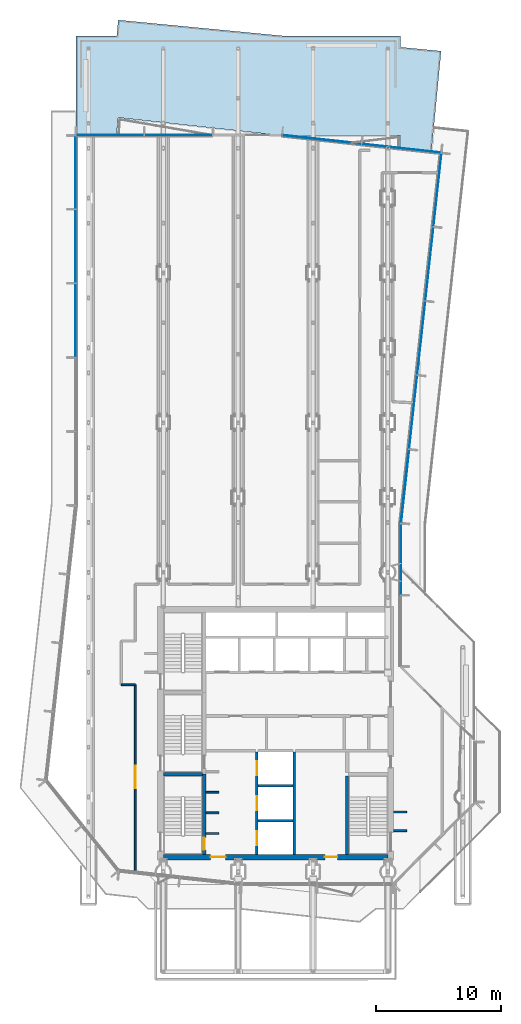
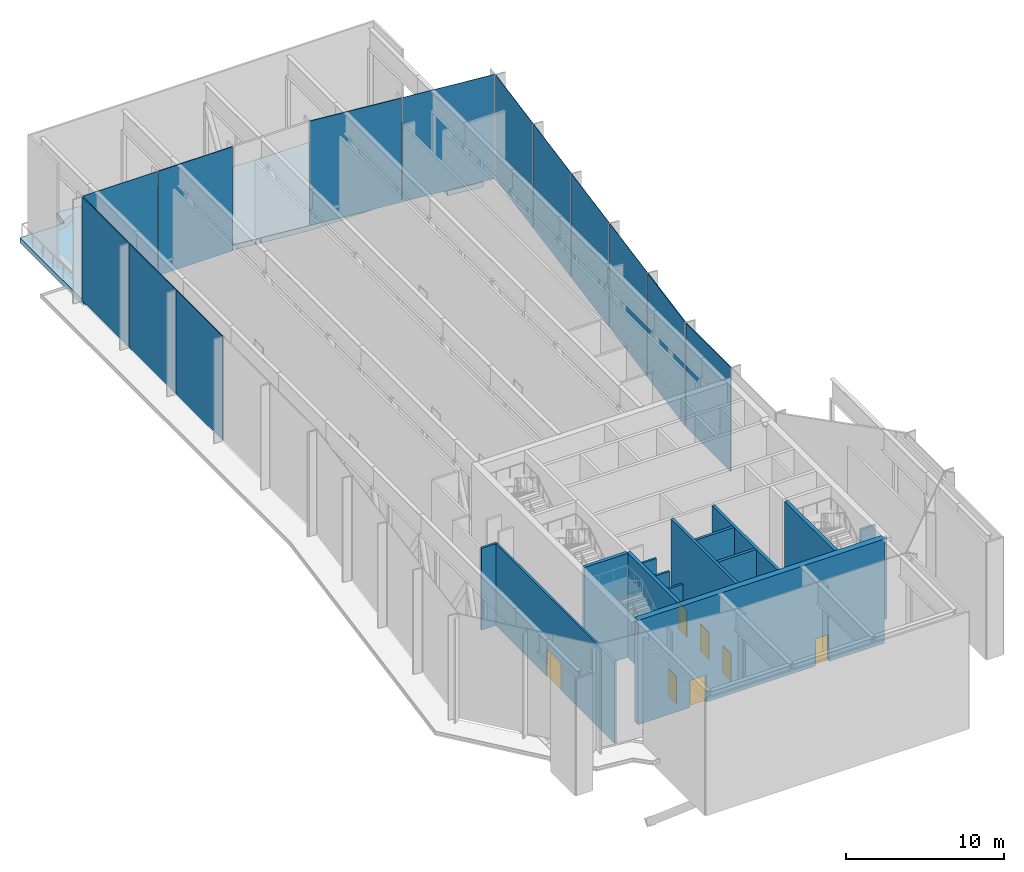
# One storey, part 11 of 21: 15 walls, 13 plates, 7 doors, 1 slab, 7 openings, 5 elements without a shape of their own.
"""IFC4 building model written with IfcOpenShell, lengths in metres."""

from ifc_helpers import new_model, si_unit, direction, frame, frame_2d, origin, origin_2d, place, context, subcontext, project, spatial, polyline, rectangle, outline, extrude, material, layer, layer_set, type_object, element, fill, aggregate, save


model = new_model("IFC4")

# Units and contexts
model_context = context("Model", 3, precision=1e-05, world=origin(), true_north=direction((0.0, 1.0)))
body_context = subcontext(model_context, "Body", "Model", "MODEL_VIEW")
ifc_project = project(units=[si_unit("LENGTHUNIT", "METRE"), si_unit("AREAUNIT", "SQUARE_METRE"), si_unit("VOLUMEUNIT", "CUBIC_METRE"), si_unit("PLANEANGLEUNIT", "RADIAN"), si_unit("MASSUNIT", "GRAM", prefix="KILO")], contexts=[model_context])

# Site, building, storey
site_placement = place(None, origin())
site = spatial("IfcSite", under=ifc_project, at=site_placement, CompositionType="ELEMENT")
building_placement = place(site_placement, origin())
building = spatial("IfcBuilding", under=site, at=building_placement, Name="Welwitschia Terrace Campus", CompositionType="ELEMENT")
storey_placement = place(building_placement, frame((0.0, 0.0, 255.800048828125)))
storey = spatial("IfcBuildingStorey", under=building, at=storey_placement, Name="L57", CompositionType="ELEMENT", Elevation=255.800048828125)

# Curtain wall, plates
ifc_material_1 = material(Name="Bronze anodised aluminium", Category="aluminium")
ifc_layer_1 = layer(ifc_material_1, 0.159912109375)
ifc_layer_set_1 = layer_set([ifc_layer_1], Name="Bronze anodised aluminium")
curtain_wall_type = type_object("IfcCurtainWallType", Name="Curtain wall CW3 commons 6000", PredefinedType="NOTDEFINED", material=ifc_layer_set_1)
curtain_wall_1_placement = place(storey_placement, origin())
curtain_wall_1 = element("IfcCurtainWall", 1, at=curtain_wall_1_placement, inside=storey, type_object=curtain_wall_type, Name="CW L57.4.0", PredefinedType="NOTDEFINED")
ifc_material_2 = material(Name="Tinted bronze-grey glass", Category="glass")
ifc_layer_2 = layer(ifc_material_2, 0.031982421875)
ifc_layer_set_2 = layer_set([ifc_layer_2], Name="Tinted bronze-grey glass")
plate_type_1 = type_object("IfcPlateType", Name="Glass panel 32 tinted", PredefinedType="CURTAIN_PANEL", material=ifc_layer_set_2)
plate_1_placement = place(storey_placement, frame((26.026611328125, 40.838623046875, 0.0), z_axis=(0.0, 0.0, 1.0), x_axis=(0.108866874852, 0.994056338222, 0.0)))
plate_1 = element("IfcPlate", 2, at=plate_1_placement, type_object=plate_type_1, Name="Panel L57.4.0.1", PredefinedType="CURTAIN_PANEL", context=body_context, shape_type="SweptSolid", body=[
    extrude(rectangle(XDim=5.920654296875, YDim=0.031982421875, at=origin_2d()), origin(), (0.0, 0.0, 1.0), 8.050048828125),
])
plate_2_placement = place(storey_placement, frame((26.677734375, 46.78369140625, 0.0), z_axis=(0.0, 0.0, 1.0), x_axis=(0.108866874852, 0.994056338222, 0.0)))
plate_2 = element("IfcPlate", 3, at=plate_2_placement, type_object=plate_type_1, Name="Panel L57.4.0.2", PredefinedType="CURTAIN_PANEL", context=body_context, shape_type="SweptSolid", body=[
    extrude(rectangle(XDim=5.920654296875, YDim=0.031982421875, at=origin_2d()), origin(), (0.0, 0.0, 1.0), 8.050048828125),
])
plate_3_placement = place(storey_placement, frame((27.328857421875, 52.728759765625, 0.0), z_axis=(0.0, 0.0, 1.0), x_axis=(0.108866874852, 0.994056338222, 0.0)))
plate_3 = element("IfcPlate", 4, at=plate_3_placement, type_object=plate_type_1, Name="Panel L57.4.0.3", PredefinedType="CURTAIN_PANEL", context=body_context, shape_type="SweptSolid", body=[
    extrude(rectangle(XDim=5.920654296875, YDim=0.031982421875, at=origin_2d()), origin(), (0.0, 0.0, 1.0), 8.050048828125),
])
plate_4_placement = place(storey_placement, frame((27.978271484375, 58.65869140625, 0.0), z_axis=(0.0, 0.0, 1.0), x_axis=(0.108866874852, 0.994056338222, 0.0)))
plate_4 = element("IfcPlate", 5, at=plate_4_placement, type_object=plate_type_1, Name="Panel L57.4.0.4", PredefinedType="CURTAIN_PANEL", context=body_context, shape_type="SweptSolid", body=[
    extrude(rectangle(XDim=5.890625, YDim=0.031982421875, at=origin_2d()), origin(), (0.0, 0.0, 1.0), 8.050048828125),
])

# Curtain wall, plate
curtain_wall_2_placement = place(storey_placement, origin())
curtain_wall_2 = element("IfcCurtainWall", 6, at=curtain_wall_2_placement, inside=storey, type_object=curtain_wall_type, Name="CW L57.5.0", PredefinedType="NOTDEFINED")
plate_5_placement = place(storey_placement, frame((25.0859375, 61.998779296875, 0.0), z_axis=(0.0, 0.0, 1.0), x_axis=(-0.994056338222, 0.108866874852, 0.0)))
plate_5 = element("IfcPlate", 7, at=plate_5_placement, type_object=plate_type_1, Name="Panel L57.5.0.0", PredefinedType="CURTAIN_PANEL", context=body_context, shape_type="SweptSolid", body=[
    extrude(rectangle(XDim=6.357421875, YDim=0.031982421875, at=origin_2d()), origin(), (0.0, 0.0, 1.0), 8.050048828125),
])

curtain_wall_3_placement = place(storey_placement, origin())
curtain_wall_3 = element("IfcCurtainWall", 8, at=curtain_wall_3_placement, inside=storey, type_object=curtain_wall_type, Name="CW L57.6.1", PredefinedType="NOTDEFINED")
plate_6_placement = place(storey_placement, frame((1.72119140625, 63.050048828125, 0.0), z_axis=(0.0, 0.0, 1.0), x_axis=(-1.0, 0.0, 0.0)))
plate_6 = element("IfcPlate", 9, at=plate_6_placement, type_object=plate_type_1, Name="Panel L57.6.1.1", PredefinedType="CURTAIN_PANEL", context=body_context, shape_type="SweptSolid", body=[
    extrude(rectangle(XDim=5.42236328125, YDim=0.031982421875, at=origin_2d()), origin(), (0.0, 0.0, 1.0), 8.050048828125),
])

curtain_wall_4_placement = place(storey_placement, origin())
curtain_wall_4 = element("IfcCurtainWall", 10, at=curtain_wall_4_placement, inside=storey, type_object=curtain_wall_type, Name="CW L57.3.0", PredefinedType="NOTDEFINED")
ifc_material_3 = material(Name="Bronze anodised insulated metal panel")
ifc_layer_3 = layer(ifc_material_3, 0.06005859375)
ifc_layer_set_3 = layer_set([ifc_layer_3], Name="Bronze anodised insulated metal panel")
plate_type_2 = type_object("IfcPlateType", Name="Insulated metal panel 60", PredefinedType="CURTAIN_PANEL", material=ifc_layer_set_3)
plate_7_placement = place(storey_placement, frame((25.050048828125, 29.03466796875, 0.0), z_axis=(0.0, 0.0, 1.0), x_axis=(0.0, 1.0, 0.0)))
plate_7 = element("IfcPlate", 11, at=plate_7_placement, type_object=plate_type_2, Name="Panel L57.3.0.1", PredefinedType="CURTAIN_PANEL", context=body_context, shape_type="SweptSolid", body=[
    extrude(rectangle(XDim=5.653076171875, YDim=0.06005859375, at=origin_2d()), origin(), (0.0, 0.0, 1.0), 8.050048828125),
])
aggregate(curtain_wall_4, [plate_7])

# Plate
plate_8_placement = place(storey_placement, frame((25.377197265625, 34.908447265625, 0.0), z_axis=(0.0, 0.0, 1.0), x_axis=(0.108866874852, 0.994056338222, 0.0)))
plate_8 = element("IfcPlate", 12, at=plate_8_placement, type_object=plate_type_2, Name="Panel L57.4.0.0", PredefinedType="CURTAIN_PANEL", context=body_context, shape_type="SweptSolid", body=[
    extrude(rectangle(XDim=5.890625, YDim=0.06005859375, at=origin_2d()), origin(), (0.0, 0.0, 1.0), 8.050048828125),
])

aggregate(curtain_wall_1, [plate_8, plate_1, plate_2, plate_3, plate_4])

plate_9_placement = place(storey_placement, frame((18.70654296875, 62.697509765625, 0.0), z_axis=(0.0, 0.0, 1.0), x_axis=(-0.994056338222, 0.108866874852, 0.0)))
plate_9 = element("IfcPlate", 13, at=plate_9_placement, type_object=plate_type_2, Name="Panel L57.5.0.1", PredefinedType="CURTAIN_PANEL", context=body_context, shape_type="SweptSolid", body=[
    extrude(rectangle(XDim=6.357421875, YDim=0.06005859375, at=origin_2d()), origin(), (0.0, 0.0, 1.0), 8.050048828125),
])

aggregate(curtain_wall_2, [plate_5, plate_9])

plate_10_placement = place(storey_placement, frame((7.20361328125, 63.050048828125, 0.0), z_axis=(0.0, 0.0, 1.0), x_axis=(-1.0, 0.0, 0.0)))
plate_10 = element("IfcPlate", 14, at=plate_10_placement, type_object=plate_type_2, Name="Panel L57.6.1.0", PredefinedType="CURTAIN_PANEL", context=body_context, shape_type="SweptSolid", body=[
    extrude(rectangle(XDim=5.42236328125, YDim=0.06005859375, at=origin_2d()), origin(), (0.0, 0.0, 1.0), 8.050048828125),
])

aggregate(curtain_wall_3, [plate_10, plate_6])

# Curtain wall, plates
curtain_wall_5_placement = place(storey_placement, origin())
curtain_wall_5 = element("IfcCurtainWall", 15, at=curtain_wall_5_placement, inside=storey, type_object=curtain_wall_type, Name="CW L57.7.0", PredefinedType="NOTDEFINED")
plate_11_placement = place(storey_placement, frame((-1.050048828125, 60.064697265625, 0.0), z_axis=(0.0, 0.0, 1.0), x_axis=(0.0, -1.0, 0.0)))
plate_11 = element("IfcPlate", 16, at=plate_11_placement, type_object=plate_type_2, Name="Panel L57.7.0.0", PredefinedType="CURTAIN_PANEL", context=body_context, shape_type="SweptSolid", body=[
    extrude(rectangle(XDim=5.850830078125, YDim=0.06005859375, at=origin_2d()), origin(), (0.0, 0.0, 1.0), 8.050048828125),
])
plate_12_placement = place(storey_placement, frame((-1.050048828125, 54.138916015625, 0.0), z_axis=(0.0, 0.0, 1.0), x_axis=(0.0, -1.0, 0.0)))
plate_12 = element("IfcPlate", 17, at=plate_12_placement, type_object=plate_type_2, Name="Panel L57.7.0.1", PredefinedType="CURTAIN_PANEL", context=body_context, shape_type="SweptSolid", body=[
    extrude(rectangle(XDim=5.880859375, YDim=0.06005859375, at=origin_2d()), origin(), (0.0, 0.0, 1.0), 8.050048828125),
])
plate_13_placement = place(storey_placement, frame((-1.050048828125, 48.197998046875, 0.0), z_axis=(0.0, 0.0, 1.0), x_axis=(0.0, -1.0, 0.0)))
plate_13 = element("IfcPlate", 18, at=plate_13_placement, type_object=plate_type_2, Name="Panel L57.7.0.2", PredefinedType="CURTAIN_PANEL", context=body_context, shape_type="SweptSolid", body=[
    extrude(rectangle(XDim=5.880859375, YDim=0.06005859375, at=origin_2d()), origin(), (0.0, 0.0, 1.0), 8.050048828125),
])
aggregate(curtain_wall_5, [plate_11, plate_12, plate_13])

# Slab
ifc_material_4 = material(Name="Concrete C40/50", Category="concrete")
ifc_layer_4 = layer(ifc_material_4, 0.39990234375)
ifc_layer_set_4 = layer_set([ifc_layer_4], Name="Concrete C40/50")
slab_type = type_object("IfcSlabType", Name="Terrace slab 400", PredefinedType="FLOOR", material=ifc_layer_set_4)
slab_placement = place(storey_placement, frame((0.0, 0.0, -0.400146484375)))
element("IfcSlab", 19, at=slab_placement, inside=storey, type_object=slab_type, Name="Terrace slab", PredefinedType="FLOOR", context=body_context, shape_type="SweptSolid", body=[
    extrude(outline(polyline([(-1.0, 63.0), (-1.0, 71.0), (2.263427734375, 71.0), (2.38623046875, 72.275634765625), (15.635498046875, 71.0), (25.0, 71.0), (25.0, 70.098388671875), (28.2666015625, 69.78369140625), (27.48828125, 61.700439453125), (25.014892578125, 61.971435546875), (25.014892578125, 63.0), (25.014892578125, 63.00146484375), (25.0146484375, 63.0029296875), (25.014404296875, 63.00439453125), (25.013916015625, 63.005859375), (25.01318359375, 63.007080078125), (25.012451171875, 63.00830078125), (25.011474609375, 63.009521484375), (25.010498046875, 63.010498046875), (25.009521484375, 63.011474609375), (25.00830078125, 63.012451171875), (25.007080078125, 63.01318359375), (25.005859375, 63.013916015625), (25.00439453125, 63.014404296875), (25.0029296875, 63.0146484375), (25.00146484375, 63.014892578125), (25.0, 63.014892578125), (24.18505859375, 63.014892578125), (24.18359375, 63.014892578125), (24.18212890625, 63.0146484375), (24.1806640625, 63.014404296875), (24.17919921875, 63.013916015625), (24.177978515625, 63.01318359375), (24.1767578125, 63.012451171875), (24.175537109375, 63.011474609375), (24.17431640625, 63.010498046875), (24.17333984375, 63.009521484375), (24.172607421875, 63.00830078125), (24.171875, 63.007080078125), (24.171142578125, 63.005859375), (24.170654296875, 63.00439453125), (24.17041015625, 63.0029296875), (24.170166015625, 63.00146484375), (24.169921875, 63.0), (23.830078125, 63.0), (23.829833984375, 63.00146484375), (23.82958984375, 63.0029296875), (23.829345703125, 63.00439453125), (23.828857421875, 63.005859375), (23.828125, 63.007080078125), (23.827392578125, 63.00830078125), (23.82666015625, 63.009521484375), (23.82568359375, 63.010498046875), (23.824462890625, 63.011474609375), (23.8232421875, 63.012451171875), (23.822021484375, 63.01318359375), (23.82080078125, 63.013916015625), (23.8193359375, 63.014404296875), (23.81787109375, 63.0146484375), (23.81640625, 63.014892578125), (23.81494140625, 63.014892578125), (18.18505859375, 63.014892578125), (18.18359375, 63.014892578125), (18.18212890625, 63.0146484375), (18.1806640625, 63.014404296875), (18.17919921875, 63.013916015625), (18.177978515625, 63.01318359375), (18.1767578125, 63.012451171875), (18.175537109375, 63.011474609375), (18.17431640625, 63.010498046875), (18.17333984375, 63.009521484375), (18.172607421875, 63.00830078125), (18.171875, 63.007080078125), (18.171142578125, 63.005859375), (18.170654296875, 63.00439453125), (18.17041015625, 63.0029296875), (18.170166015625, 63.00146484375), (18.169921875, 63.0), (17.830078125, 63.0), (17.829833984375, 63.00146484375), (17.82958984375, 63.0029296875), (17.829345703125, 63.00439453125), (17.828857421875, 63.005859375), (17.828125, 63.007080078125), (17.827392578125, 63.00830078125), (17.82666015625, 63.009521484375), (17.82568359375, 63.010498046875), (17.824462890625, 63.011474609375), (17.8232421875, 63.012451171875), (17.822021484375, 63.01318359375), (17.82080078125, 63.013916015625), (17.8193359375, 63.014404296875), (17.81787109375, 63.0146484375), (17.81640625, 63.014892578125), (17.81494140625, 63.014892578125), (15.485107421875, 63.014892578125), (12.1865234375, 63.376220703125), (12.18505859375, 63.376220703125), (12.18359375, 63.376220703125), (12.18212890625, 63.3759765625), (12.1806640625, 63.375732421875), (12.179443359375, 63.375244140625), (12.177978515625, 63.37451171875), (12.1767578125, 63.373779296875), (12.175537109375, 63.373046875), (12.174560546875, 63.3720703125), (12.17333984375, 63.370849609375), (12.172607421875, 63.36962890625), (12.171875, 63.368408203125), (12.171142578125, 63.3671875), (12.170654296875, 63.36572265625), (12.17041015625, 63.3642578125), (12.170166015625, 63.363037109375), (11.830078125, 63.400146484375), (11.830078125, 63.40185546875), (11.829833984375, 63.4033203125), (11.829833984375, 63.40478515625), (11.829345703125, 63.40625), (11.828857421875, 63.407470703125), (11.828369140625, 63.408935546875), (11.827392578125, 63.41015625), (11.82666015625, 63.411376953125), (11.82568359375, 63.412353515625), (11.82470703125, 63.413330078125), (11.823486328125, 63.414306640625), (11.822265625, 63.4150390625), (11.82080078125, 63.415771484375), (11.819580078125, 63.416259765625), (11.818115234375, 63.41650390625), (11.816650390625, 63.416748046875), (6.1865234375, 64.033447265625), (6.18505859375, 64.033447265625), (6.18359375, 64.033447265625), (6.18212890625, 64.033203125), (6.1806640625, 64.032958984375), (6.179443359375, 64.032470703125), (6.177978515625, 64.03173828125), (6.1767578125, 64.031005859375), (6.175537109375, 64.030029296875), (6.174560546875, 64.029052734375), (6.17333984375, 64.028076171875), (6.172607421875, 64.02685546875), (6.171875, 64.025634765625), (6.171142578125, 64.024169921875), (6.170654296875, 64.02294921875), (6.17041015625, 64.021484375), (6.170166015625, 64.02001953125), (5.830078125, 64.057373046875), (5.830078125, 64.05908203125), (5.829833984375, 64.060546875), (5.829833984375, 64.061767578125), (5.829345703125, 64.063232421875), (5.828857421875, 64.064697265625), (5.828369140625, 64.06591796875), (5.827392578125, 64.067138671875), (5.82666015625, 64.068359375), (5.82568359375, 64.069580078125), (5.82470703125, 64.070556640625), (5.823486328125, 64.0712890625), (5.822265625, 64.072021484375), (5.82080078125, 64.07275390625), (5.819580078125, 64.0732421875), (5.818115234375, 64.07373046875), (5.816650390625, 64.073974609375), (2.406494140625, 64.447265625), (2.405029296875, 64.447509765625), (2.403564453125, 64.447509765625), (2.402099609375, 64.447265625), (2.400634765625, 64.44677734375), (2.399169921875, 64.4462890625), (2.39794921875, 64.44580078125), (2.396728515625, 64.445068359375), (2.3955078125, 64.444091796875), (2.394287109375, 64.443115234375), (2.393310546875, 64.442138671875), (2.392333984375, 64.44091796875), (2.3916015625, 64.439697265625), (2.39111328125, 64.438232421875), (2.390380859375, 64.43701171875), (2.39013671875, 64.435546875), (2.389892578125, 64.43408203125), (2.234375, 63.014892578125), (0.18505859375, 63.014892578125), (0.18359375, 63.014892578125), (0.18212890625, 63.0146484375), (0.1806640625, 63.014404296875), (0.17919921875, 63.013916015625), (0.177978515625, 63.01318359375), (0.1767578125, 63.012451171875), (0.175537109375, 63.011474609375), (0.17431640625, 63.010498046875), (0.17333984375, 63.009521484375), (0.172607421875, 63.00830078125), (0.171875, 63.007080078125), (0.171142578125, 63.005859375), (0.170654296875, 63.00439453125), (0.17041015625, 63.0029296875), (0.170166015625, 63.00146484375), (0.169921875, 63.0), (-1.0, 63.0)])), origin(), (0.0, 0.0, 1.0), 0.400146484375),
])

# Walls
ifc_material_5 = material(Name="Concrete C50/60", Category="concrete")
ifc_layer_5 = layer(ifc_material_5, 0.14990234375)
ifc_layer_set_5 = layer_set([ifc_layer_5], Name="Concrete C50/60")
wall_type_1 = type_object("IfcWallType", Name="Core wall 150 Concrete C50/60", PredefinedType="SHEAR", material=ifc_layer_set_5)
for number, where, z_axis, x_axis, name in (
    (20, (9.39990234375, 7.074951171875, 0.0), (0.0, 0.0, 1.0), (1.0, 0.0, 0.0), "Core wall"),
    (21, (9.39990234375, 8.72509765625, 0.0), (0.0, 0.0, 1.0), (1.0, 0.0, 0.0), "Core wall"),
    (22, (9.39990234375, 10.375, 0.0), (0.0, 0.0, 1.0), (1.0, 0.0, 0.0), "Core wall"),
):
    element("IfcWall", number, at=place(storey_placement, frame(where, z_axis=z_axis, x_axis=x_axis)), inside=storey, type_object=wall_type_1, Name=name, PredefinedType="SHEAR", context=body_context, shape_type="SweptSolid", body=[
        extrude(rectangle(XDim=1.050048828125, YDim=0.14990234375, at=frame_2d((0.52490234375, 0.0))), origin(), (0.0, 0.0, 1.0), 8.050048828125),
    ])
ifc_material_6 = material(Name="Concrete C50/60", Category="concrete")
ifc_layer_6 = layer(ifc_material_6, 0.199951171875)
ifc_layer_set_6 = layer_set([ifc_layer_6], Name="Concrete C50/60")
wall_type_2 = type_object("IfcWallType", Name="Core wall 200 Concrete C50/60", PredefinedType="SHEAR", material=ifc_layer_set_6)
for number, where, z_axis, x_axis, name in (
    (23, (13.60009765625, 8.10009765625, 0.0), (0.0, 0.0, 1.0), (1.0, 0.0, 0.0), "Core wall"),
    (24, (13.60009765625, 10.89990234375, 0.0), (0.0, 0.0, 1.0), (1.0, 0.0, 0.0), "Core wall"),
):
    element("IfcWall", number, at=place(storey_placement, frame(where, z_axis=z_axis, x_axis=x_axis)), inside=storey, type_object=wall_type_2, Name=name, PredefinedType="SHEAR", context=body_context, shape_type="SweptSolid", body=[
        extrude(rectangle(XDim=2.7998046875, YDim=0.199951171875, at=frame_2d((1.39990234375, 0.0))), origin(), (0.0, 0.0, 1.0), 8.050048828125),
    ])

# Wall, openings, doors
wall_1_placement = place(storey_placement, frame((13.5, 5.39990234375, 0.0), z_axis=(0.0, 0.0, 1.0), x_axis=(0.0, 1.0, 0.0)))
wall_1 = element("IfcWall", 25, at=wall_1_placement, inside=storey, type_object=wall_type_2, Name="Core wall", PredefinedType="SHEAR", context=body_context, shape_type="SweptSolid", body=[
    extrude(rectangle(XDim=8.2001953125, YDim=0.199951171875, at=frame_2d((4.10009765625, 0.0))), origin(), (0.0, 0.0, 1.0), 8.050048828125),
])
opening_1_placement = place(wall_1_placement, frame((0.75, 0.0, 0.0)))
opening_1 = element("IfcOpeningElement", 26, at=opening_1_placement, cuts=wall_1, Name="Opening LD", PredefinedType="OPENING", context=body_context, shape_type="SweptSolid", body=[
    extrude(rectangle(XDim=1.10009765625, YDim=2.10009765625, at=frame_2d((0.550048828125, 1.050048828125))), frame((0.0, 0.10986328125, 0.0), z_axis=(0.0, -1.0, 0.0), x_axis=(1.0, 0.0, 0.0)), (0.0, 0.0, 1.0), 0.219970703125),
])
opening_2_placement = place(wall_1_placement, frame((3.550048828125, 0.0, 0.0)))
opening_2 = element("IfcOpeningElement", 27, at=opening_2_placement, cuts=wall_1, Name="Opening LD", PredefinedType="OPENING", context=body_context, shape_type="SweptSolid", body=[
    extrude(rectangle(XDim=1.10009765625, YDim=2.10009765625, at=frame_2d((0.550048828125, 1.050048828125))), frame((0.0, 0.10986328125, 0.0), z_axis=(0.0, -1.0, 0.0), x_axis=(1.0, 0.0, 0.0)), (0.0, 0.0, 1.0), 0.219970703125),
])
opening_3_placement = place(wall_1_placement, frame((6.35009765625, 0.0, 0.0)))
opening_3 = element("IfcOpeningElement", 28, at=opening_3_placement, cuts=wall_1, Name="Opening LD", PredefinedType="OPENING", context=body_context, shape_type="SweptSolid", body=[
    extrude(rectangle(XDim=1.10009765625, YDim=2.10009765625, at=frame_2d((0.550048828125, 1.050048828125))), frame((0.0, 0.10986328125, 0.0), z_axis=(0.0, -1.0, 0.0), x_axis=(1.0, 0.0, 0.0)), (0.0, 0.0, 1.0), 0.219970703125),
])
ifc_material_7 = material(Name="Stainless steel 304", Category="steel")
door_type_1 = type_object("IfcDoorType", Name="Lift landing door", OperationType="DOUBLE_DOOR_SLIDING", PredefinedType="DOOR", material=ifc_material_7)
door_1_placement = place(opening_1_placement, origin())
door_1 = element("IfcDoor", 29, at=door_1_placement, inside=storey, type_object=door_type_1, Name="Landing door FF1", OperationType="DOUBLE_DOOR_SLIDING", OverallHeight=2.10009765625, OverallWidth=1.10009765625, PredefinedType="DOOR", context=body_context, shape_type="SweptSolid", body=[
    extrude(rectangle(XDim=1.10009765625, YDim=2.10009765625, at=frame_2d((0.550048828125, 1.050048828125))), frame((0.0, 0.02490234375, 0.0), z_axis=(0.0, -1.0, 0.0), x_axis=(1.0, 0.0, 0.0)), (0.0, 0.0, 1.0), 0.050048828125),
])
fill(opening_1, door_1)
door_2_placement = place(opening_2_placement, origin())
door_2 = element("IfcDoor", 30, at=door_2_placement, inside=storey, type_object=door_type_1, Name="Landing door FF2", OperationType="DOUBLE_DOOR_SLIDING", OverallHeight=2.10009765625, OverallWidth=1.10009765625, PredefinedType="DOOR", context=body_context, shape_type="SweptSolid", body=[
    extrude(rectangle(XDim=1.10009765625, YDim=2.10009765625, at=frame_2d((0.550048828125, 1.050048828125))), frame((0.0, 0.02490234375, 0.0), z_axis=(0.0, -1.0, 0.0), x_axis=(1.0, 0.0, 0.0)), (0.0, 0.0, 1.0), 0.050048828125),
])
fill(opening_2, door_2)
door_3_placement = place(opening_3_placement, origin())
door_3 = element("IfcDoor", 31, at=door_3_placement, inside=storey, type_object=door_type_1, Name="Landing door SV1", OperationType="DOUBLE_DOOR_SLIDING", OverallHeight=2.10009765625, OverallWidth=1.10009765625, PredefinedType="DOOR", context=body_context, shape_type="SweptSolid", body=[
    extrude(rectangle(XDim=1.10009765625, YDim=2.10009765625, at=frame_2d((0.550048828125, 1.050048828125))), frame((0.0, 0.02490234375, 0.0), z_axis=(0.0, -1.0, 0.0), x_axis=(1.0, 0.0, 0.0)), (0.0, 0.0, 1.0), 0.050048828125),
])
fill(opening_3, door_3)

# Walls
wall_2_placement = place(storey_placement, frame((16.5, 5.39990234375, 0.0), z_axis=(0.0, 0.0, 1.0), x_axis=(0.0, 1.0, 0.0)))
element("IfcWall", 32, at=wall_2_placement, inside=storey, type_object=wall_type_2, Name="Core wall", PredefinedType="SHEAR", context=body_context, shape_type="SweptSolid", body=[
    extrude(rectangle(XDim=8.2001953125, YDim=0.199951171875, at=frame_2d((4.10009765625, 0.0))), origin(), (0.0, 0.0, 1.0), 8.050048828125),
])
ifc_material_8 = material(Name="Concrete C50/60", Category="concrete")
ifc_layer_7 = layer(ifc_material_8, 0.25)
ifc_layer_set_7 = layer_set([ifc_layer_7], Name="Concrete C50/60")
wall_type_3 = type_object("IfcWallType", Name="Core wall 250 Concrete C50/60", PredefinedType="SHEAR", material=ifc_layer_set_7)
wall_3_placement = place(storey_placement, frame((6.0, 11.824951171875, 0.0), z_axis=(0.0, 0.0, 1.0), x_axis=(1.0, 0.0, 0.0)))
element("IfcWall", 33, at=wall_3_placement, inside=storey, type_object=wall_type_3, Name="Core wall", PredefinedType="SHEAR", context=body_context, shape_type="SweptSolid", body=[
    extrude(rectangle(XDim=3.14990234375, YDim=0.25, at=frame_2d((1.574951171875, 0.0))), origin(), (0.0, 0.0, 1.0), 8.050048828125),
])

# Wall, opening, door
wall_4_placement = place(storey_placement, frame((9.27490234375, 11.824951171875, 0.0), z_axis=(0.0, 0.0, 1.0), x_axis=(0.0, -1.0, 0.0)))
wall_4 = element("IfcWall", 34, at=wall_4_placement, inside=storey, type_object=wall_type_3, Name="Core wall", PredefinedType="SHEAR", context=body_context, shape_type="SweptSolid", body=[
    extrude(rectangle(XDim=6.425048828125, YDim=0.25, at=frame_2d((3.21240234375, 0.0))), origin(), (0.0, 0.0, 1.0), 8.050048828125),
])
opening_4_placement = place(wall_4_placement, frame((5.074951171875, 0.0, 0.0)))
opening_4 = element("IfcOpeningElement", 35, at=opening_4_placement, cuts=wall_4, Name="Opening DS10", PredefinedType="OPENING", context=body_context, shape_type="SweptSolid", body=[
    extrude(rectangle(XDim=1.0, YDim=2.10009765625, at=frame_2d((0.5, 1.050048828125))), frame((0.0, 0.135009765625, 0.0), z_axis=(0.0, -1.0, 0.0), x_axis=(1.0, 0.0, 0.0)), (0.0, 0.0, 1.0), 0.27001953125),
])
ifc_material_9 = material(Name="Steel S275", Category="steel")
door_type_2 = type_object("IfcDoorType", Name="Core door DS10", OperationType="SINGLE_SWING_LEFT", PredefinedType="DOOR", material=ifc_material_9)
door_4_placement = place(opening_4_placement, origin())
door_4 = element("IfcDoor", 36, at=door_4_placement, inside=storey, type_object=door_type_2, Name="Door S1-FL", OperationType="SINGLE_SWING_RIGHT", OverallHeight=2.10009765625, OverallWidth=1.0, PredefinedType="DOOR", context=body_context, shape_type="SweptSolid", body=[
    extrude(rectangle(XDim=1.0, YDim=2.10009765625, at=frame_2d((0.5, 1.050048828125))), frame((0.0, 0.02490234375, 0.0), z_axis=(0.0, -1.0, 0.0), x_axis=(1.0, 0.0, 0.0)), (0.0, 0.0, 1.0), 0.050048828125),
])
fill(opening_4, door_4)

# Wall
wall_5_placement = place(storey_placement, frame((20.72509765625, 5.39990234375, 0.0), z_axis=(0.0, 0.0, 1.0), x_axis=(0.0, 1.0, 0.0)))
element("IfcWall", 37, at=wall_5_placement, inside=storey, type_object=wall_type_3, Name="Core wall", PredefinedType="SHEAR", context=body_context, shape_type="SweptSolid", body=[
    extrude(rectangle(XDim=6.300048828125, YDim=0.25, at=frame_2d((3.14990234375, 0.0))), origin(), (0.0, 0.0, 1.0), 8.050048828125),
])

# Wall, openings, doors
ifc_material_10 = material(Name="Concrete C60/75", Category="concrete")
ifc_layer_8 = layer(ifc_material_10, 0.449951171875)
ifc_layer_set_8 = layer_set([ifc_layer_8], Name="Concrete C60/75")
wall_type_4 = type_object("IfcWallType", Name="Core wall 450 Concrete C60/75", PredefinedType="SHEAR", material=ifc_layer_set_8)
wall_6_placement = place(storey_placement, frame((24.0, 5.175048828125, 0.0), z_axis=(0.0, 0.0, 1.0), x_axis=(-1.0, 0.0, 0.0)))
wall_6 = element("IfcWall", 38, at=wall_6_placement, inside=storey, type_object=wall_type_4, Name="Core outer wall", PredefinedType="SHEAR", context=body_context, shape_type="SweptSolid", body=[
    extrude(rectangle(XDim=18.0, YDim=0.449951171875, at=frame_2d((9.0, 0.0))), origin(), (0.0, 0.0, 1.0), 8.050048828125),
])
opening_5_placement = place(wall_6_placement, frame((13.0, 0.0, 0.0)))
opening_5 = element("IfcOpeningElement", 39, at=opening_5_placement, cuts=wall_6, Name="Opening DF12", PredefinedType="OPENING", context=body_context, shape_type="SweptSolid", body=[
    extrude(rectangle(XDim=1.199951171875, YDim=2.10009765625, at=frame_2d((0.60009765625, 1.050048828125))), frame((0.0, 0.23486328125, 0.0), z_axis=(0.0, -1.0, 0.0), x_axis=(1.0, 0.0, 0.0)), (0.0, 0.0, 1.0), 0.469970703125),
])
opening_6_placement = place(wall_6_placement, frame((4.050048828125, 0.0, 0.0)))
opening_6 = element("IfcOpeningElement", 40, at=opening_6_placement, cuts=wall_6, Name="Opening DR10", PredefinedType="OPENING", context=body_context, shape_type="SweptSolid", body=[
    extrude(rectangle(XDim=1.0, YDim=2.10009765625, at=frame_2d((0.5, 1.050048828125))), frame((0.0, 0.23486328125, 0.0), z_axis=(0.0, -1.0, 0.0), x_axis=(1.0, 0.0, 0.0)), (0.0, 0.0, 1.0), 0.469970703125),
])
ifc_material_11 = material(Name="Steel S275", Category="steel")
door_type_3 = type_object("IfcDoorType", Name="Core door DF12", OperationType="SINGLE_SWING_LEFT", PredefinedType="DOOR", material=ifc_material_11)
door_5_placement = place(opening_5_placement, origin())
door_5 = element("IfcDoor", 41, at=door_5_placement, inside=storey, type_object=door_type_3, Name="Door FL-out", OperationType="SINGLE_SWING_RIGHT", OverallHeight=2.10009765625, OverallWidth=1.199951171875, PredefinedType="DOOR", context=body_context, shape_type="SweptSolid", body=[
    extrude(rectangle(XDim=1.199951171875, YDim=2.10009765625, at=frame_2d((0.60009765625, 1.050048828125))), frame((0.0, 0.02490234375, 0.0), z_axis=(0.0, -1.0, 0.0), x_axis=(1.0, 0.0, 0.0)), (0.0, 0.0, 1.0), 0.050048828125),
])
fill(opening_5, door_5)
ifc_material_12 = material(Name="Steel S275", Category="steel")
door_type_4 = type_object("IfcDoorType", Name="Core door DR10", OperationType="SINGLE_SWING_LEFT", PredefinedType="DOOR", material=ifc_material_12)
door_6_placement = place(opening_6_placement, origin())
door_6 = element("IfcDoor", 42, at=door_6_placement, inside=storey, type_object=door_type_4, Name="Door F1-out", OperationType="SINGLE_SWING_LEFT", OverallHeight=2.10009765625, OverallWidth=1.0, PredefinedType="DOOR", context=body_context, shape_type="SweptSolid", body=[
    extrude(rectangle(XDim=1.0, YDim=2.10009765625, at=frame_2d((0.5, 1.050048828125))), frame((0.0, 0.02490234375, 0.0), z_axis=(0.0, -1.0, 0.0), x_axis=(1.0, 0.0, 0.0)), (0.0, 0.0, 1.0), 0.050048828125),
])
fill(opening_6, door_6)

# Wall
ifc_material_13 = material(Name="Gypsum board on steel studs", Category="steel")
ifc_layer_9 = layer(ifc_material_13, 0.14990234375)
ifc_layer_set_9 = layer_set([ifc_layer_9], Name="Gypsum board on steel studs")
wall_type_5 = type_object("IfcWallType", Name="Corridor partition 150 EI 30", PredefinedType="PARTITIONING", material=ifc_layer_set_9)
wall_7_placement = place(storey_placement, frame((2.639892578125, 19.0, 0.0), z_axis=(0.0, 0.0, 1.0), x_axis=(1.0, 0.0, 0.0)))
element("IfcWall", 43, at=wall_7_placement, inside=storey, type_object=wall_type_5, Name="Partition", PredefinedType="PARTITIONING", context=body_context, shape_type="SweptSolid", body=[
    extrude(rectangle(XDim=1.110107421875, YDim=0.14990234375, at=frame_2d((0.55517578125, 0.0))), origin(), (0.0, 0.0, 1.0), 6.329833984375),
])

# Wall, opening, door
wall_8_placement = place(storey_placement, frame((3.75, 19.0, 0.0), z_axis=(0.0, 0.0, 1.0), x_axis=(0.0, -1.0, 0.0)))
wall_8 = element("IfcWall", 44, at=wall_8_placement, inside=storey, type_object=wall_type_5, Name="Partition", PredefinedType="PARTITIONING", context=body_context, shape_type="SweptSolid", body=[
    extrude(rectangle(XDim=15.070068359375, YDim=0.14990234375, at=frame_2d((7.53515625, 0.0))), origin(), (0.0, 0.0, 1.0), 6.329833984375),
])
opening_7_placement = place(wall_8_placement, frame((6.5, 0.0, 0.0)))
opening_7 = element("IfcOpeningElement", 45, at=opening_7_placement, cuts=wall_8, Name="Opening DI18", PredefinedType="OPENING", context=body_context, shape_type="SweptSolid", body=[
    extrude(rectangle(XDim=1.800048828125, YDim=2.10009765625, at=frame_2d((0.89990234375, 1.050048828125))), frame((0.0, 0.0849609375, 0.0), z_axis=(0.0, -1.0, 0.0), x_axis=(1.0, 0.0, 0.0)), (0.0, 0.0, 1.0), 0.169921875),
])
ifc_material_14 = material(Name="Timber veneered door", Category="wood")
door_type_5 = type_object("IfcDoorType", Name="Interior door DI18", OperationType="DOUBLE_DOOR_SINGLE_SWING", PredefinedType="DOOR", material=ifc_material_14)
door_7_placement = place(opening_7_placement, origin())
door_7 = element("IfcDoor", 46, at=door_7_placement, inside=storey, type_object=door_type_5, Name="Door L57 1032", OperationType="SINGLE_SWING_LEFT", OverallHeight=2.10009765625, OverallWidth=1.800048828125, PredefinedType="DOOR", context=body_context, shape_type="SweptSolid", body=[
    extrude(rectangle(XDim=1.800048828125, YDim=2.10009765625, at=frame_2d((0.89990234375, 1.050048828125))), frame((0.0, 0.02490234375, 0.0), z_axis=(0.0, -1.0, 0.0), x_axis=(1.0, 0.0, 0.0)), (0.0, 0.0, 1.0), 0.050048828125),
])
fill(opening_7, door_7)

# Walls
for number, where, z_axis, x_axis, name in (
    (47, (24.449951171875, 7.300048828125, 0.0), (0.0, 0.0, 1.0), (1.0, 0.0, 0.0), "Partition"),
    (48, (24.449951171875, 8.800048828125, 0.0), (0.0, 0.0, 1.0), (1.0, 0.0, 0.0), "Partition"),
):
    element("IfcWall", number, at=place(storey_placement, frame(where, z_axis=z_axis, x_axis=x_axis)), inside=storey, type_object=wall_type_5, Name=name, PredefinedType="PARTITIONING", context=body_context, shape_type="SweptSolid", body=[
        extrude(rectangle(XDim=1.050048828125, YDim=0.14990234375, at=frame_2d((0.52490234375, 0.0))), origin(), (0.0, 0.0, 1.0), 6.329833984375),
    ])

save(model, "model.ifc")
